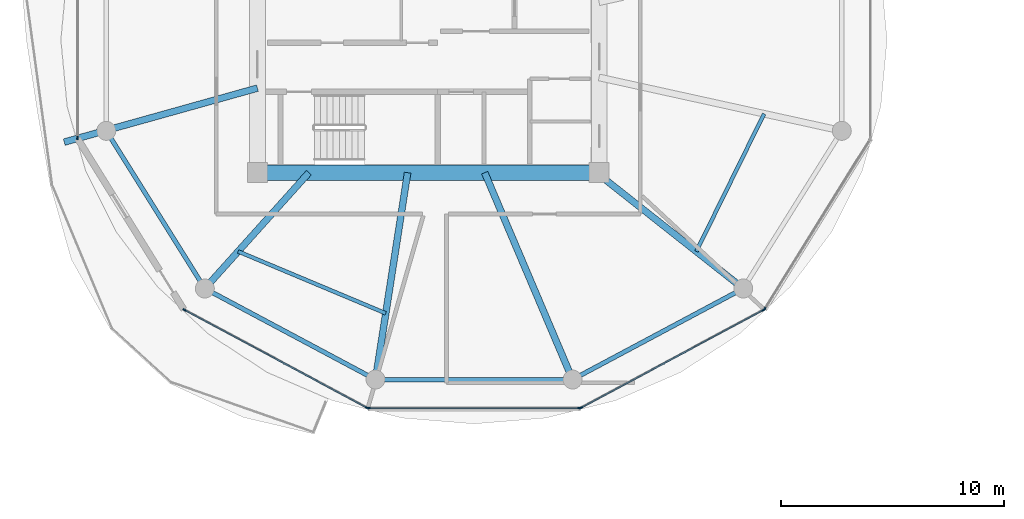
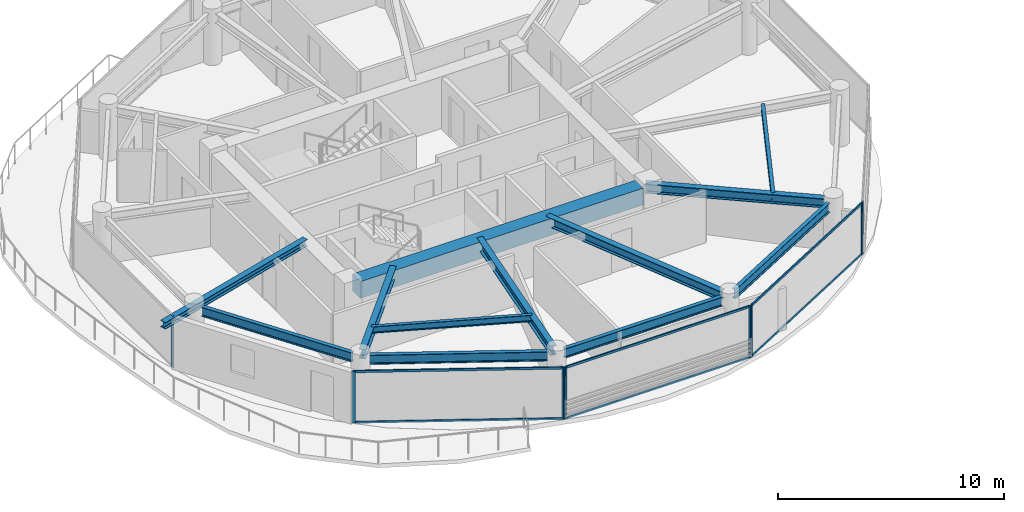
# One storey, part 2 of 23: 14 members, 12 beams, 5 elements without a shape of their own.
"""IFC4 building model written with IfcOpenShell, lengths in metres."""

from ifc_helpers import new_model, si_unit, direction, frame, origin, origin_2d, place, context, subcontext, project, spatial, rectangle, i_section, extrude, source, transform, mapped, material, layer, layer_set, material_profile, profile_set, type_object, type_shapes, element, aggregate, save


model = new_model("IFC4")

# Units and contexts
model_context = context("Model", 3, precision=1e-05, world=origin(), true_north=direction((0.0, 1.0)))
body_context = subcontext(model_context, "Body", "Model", "MODEL_VIEW")
ifc_project = project(units=[si_unit("LENGTHUNIT", "METRE"), si_unit("AREAUNIT", "SQUARE_METRE"), si_unit("VOLUMEUNIT", "CUBIC_METRE"), si_unit("PLANEANGLEUNIT", "RADIAN"), si_unit("MASSUNIT", "GRAM", prefix="KILO")], contexts=[model_context])

# Site, building, storey
site_placement = place(None, origin())
site = spatial("IfcSite", under=ifc_project, at=site_placement, CompositionType="ELEMENT")
building_placement = place(site_placement, origin())
building = spatial("IfcBuilding", under=site, at=building_placement, Name="Norrkilde Senior Care Towers", CompositionType="ELEMENT")
storey_placement = place(building_placement, frame((0.0, 0.0, 93.199951171875)))
storey = spatial("IfcBuildingStorey", under=building, at=storey_placement, Name="L28", CompositionType="ELEMENT", Elevation=93.199951171875)

# Beams
ifc_material_1 = material(Name="Concrete C60/75", Category="concrete")
ifc_material_profile_1 = material_profile(ifc_material_1, rectangle(XDim=0.699951171875, YDim=0.89990234375, at=origin_2d()), Name="RC BM 700x900")
ifc_profile_set_1 = profile_set([ifc_material_profile_1], Name="Concrete C60/75")
beam_type_1 = type_object("IfcBeamType", Name="Core Coupling Girder 700x900", PredefinedType="USERDEFINED", material=ifc_profile_set_1)
shared_shape_1 = source(origin(), body_context, "Body", "SweptSolid", [
    extrude(rectangle(XDim=0.699951171875, YDim=0.89990234375, at=origin_2d()), origin(), (0.0, 0.0, 1.0), 14.43994140625),
])
type_shapes(beam_type_1, [shared_shape_1])
beam_1_placement = place(storey_placement, frame((-35.219970703125, -5.949951171875, 2.340087890625), z_axis=(1.0, 0.0, 0.0), x_axis=(0.0, 1.0, 0.0)))
element("IfcBeam", 1, at=beam_1_placement, inside=storey, type_object=beam_type_1, Name="L28 Core W S Coupling Girder", ObjectType="GIRDER", PredefinedType="USERDEFINED", context=body_context, shape_type="MappedRepresentation", body=[
    mapped(shared_shape_1, transform((0.0, 0.0, 0.0), x_axis=(1.0, 0.0, 0.0), y_axis=(0.0, 1.0, 0.0), z_axis=(0.0, 0.0, 1.0), scale=1.0)),
])
ifc_material_2 = material(Name="Steel S355", Category="steel")
ifc_material_profile_2 = material_profile(ifc_material_2, i_section(OverallWidth=0.199951171875, OverallDepth=0.5, WebThickness=0.01025390625, FlangeThickness=0.01611328125, FilletRadius=0.02099609375, at=origin_2d()), Name="IPE 500")
ifc_profile_set_2 = profile_set([ifc_material_profile_2], Name="Steel S355")
beam_type_2 = type_object("IfcBeamType", Name="Perimeter Ring Spandrel Z2 IPE500", PredefinedType="SPANDREL", material=ifc_profile_set_2)
shared_shape_2 = source(origin(), body_context, "Body", "SweptSolid", [
    extrude(i_section(OverallWidth=0.199951171875, OverallDepth=0.5, WebThickness=0.01025390625, FlangeThickness=0.01611328125, FilletRadius=0.02099609375, at=origin_2d()), origin(), (0.0, 0.0, 1.0), 7.892333984375),
])
for number, where, z_axis, x_axis, name in (
    (2, (-37.66650390625, -11.318115234375, 2.5400390625), (0.882350372282, -0.47059305194, 0.0), (0.47059305194, 0.882350372282, 0.0), "L28 Drum W Perimeter Spandrel 08"),
    (3, (-21.197509765625, -15.0322265625, 2.5400390625), (0.882350372282, 0.47059305194, 0.0), (-0.47059305194, 0.882350372282, 0.0), "L28 Drum W Perimeter Spandrel 10"),
):
    element("IfcBeam", number, at=place(storey_placement, frame(where, z_axis=z_axis, x_axis=x_axis)), inside=storey, type_object=beam_type_2, Name=name, PredefinedType="SPANDREL", context=body_context, shape_type="MappedRepresentation", body=[
        mapped(shared_shape_2, transform((0.0, 0.0, 0.0), x_axis=(1.0, 0.0, 0.0), y_axis=(0.0, 1.0, 0.0), z_axis=(0.0, 0.0, 1.0), scale=1.0)),
    ])
ifc_material_profile_3 = material_profile(ifc_material_2, i_section(OverallWidth=0.300048828125, OverallDepth=0.5, WebThickness=0.014404296875, FlangeThickness=0.028076171875, FilletRadius=0.027099609375, at=origin_2d()), Name="HEB 500")
ifc_profile_set_3 = profile_set([ifc_material_profile_3], Name="Steel S355")
beam_type_3 = type_object("IfcBeamType", Name="Radial Floor Beam Z2 HEB500", PredefinedType="BEAM", material=ifc_profile_set_3)
shared_shape_3 = source(origin(), body_context, "Body", "SweptSolid", [
    extrude(i_section(OverallWidth=0.300048828125, OverallDepth=0.5, WebThickness=0.014404296875, FlangeThickness=0.028076171875, FilletRadius=0.027099609375, at=origin_2d()), origin(), (0.0, 0.0, 1.0), 7.985595703125),
])
beam_2_placement = place(storey_placement, frame((-20.463623046875, -5.949951171875, 2.5400390625), z_axis=(0.784858505144, -0.619675017169, 0.0), x_axis=(0.619675017169, 0.784858505144, 0.0)))
element("IfcBeam", 4, at=beam_2_placement, inside=storey, type_object=beam_type_3, Name="L28 Drum W Radial Floor Beam 11", PredefinedType="BEAM", context=body_context, shape_type="MappedRepresentation", body=[
    mapped(shared_shape_3, transform((0.0, 0.0, 0.0), x_axis=(1.0, 0.0, 0.0), y_axis=(0.0, 1.0, 0.0), z_axis=(0.0, 0.0, 1.0), scale=1.0)),
])
shared_shape_4 = source(origin(), body_context, "Body", "SweptSolid", [
    extrude(i_section(OverallWidth=0.199951171875, OverallDepth=0.5, WebThickness=0.01025390625, FlangeThickness=0.01611328125, FilletRadius=0.02099609375, at=origin_2d()), origin(), (0.0, 0.0, 1.0), 8.0556640625),
])
beam_3_placement = place(storey_placement, frame((-29.977783203125, -15.21337890625, 2.5400390625), z_axis=(1.0, 0.0, 0.0), x_axis=(0.0, 1.0, 0.0)))
element("IfcBeam", 5, at=beam_3_placement, inside=storey, type_object=beam_type_2, Name="L28 Drum W Perimeter Spandrel 09", PredefinedType="SPANDREL", context=body_context, shape_type="MappedRepresentation", body=[
    mapped(shared_shape_4, transform((0.0, 0.0, 0.0), x_axis=(1.0, 0.0, 0.0), y_axis=(0.0, 1.0, 0.0), z_axis=(0.0, 0.0, 1.0), scale=1.0)),
])
shared_shape_5 = source(origin(), body_context, "Body", "SweptSolid", [
    extrude(i_section(OverallWidth=0.300048828125, OverallDepth=0.5, WebThickness=0.014404296875, FlangeThickness=0.028076171875, FilletRadius=0.027099609375, at=origin_2d()), origin(), (0.0, 0.0, 1.0), 9.679443359375),
])
beam_4_placement = place(storey_placement, frame((-25.472412109375, -5.949951171875, 2.5400390625), z_axis=(0.390998033479, -0.920391513333, 0.0), x_axis=(0.920391513333, 0.390998033479, 0.0)))
element("IfcBeam", 6, at=beam_4_placement, inside=storey, type_object=beam_type_3, Name="L28 Drum W Radial Floor Beam 10", PredefinedType="BEAM", context=body_context, shape_type="MappedRepresentation", body=[
    mapped(shared_shape_5, transform((0.0, 0.0, 0.0), x_axis=(1.0, 0.0, 0.0), y_axis=(0.0, 1.0, 0.0), z_axis=(0.0, 0.0, 1.0), scale=1.0)),
])
shared_shape_6 = source(origin(), body_context, "Body", "SweptSolid", [
    extrude(i_section(OverallWidth=0.300048828125, OverallDepth=0.5, WebThickness=0.014404296875, FlangeThickness=0.028076171875, FilletRadius=0.027099609375, at=origin_2d()), origin(), (0.0, 0.0, 1.0), 8.989501953125),
])
beam_5_placement = place(storey_placement, frame((-28.924072265625, -5.949951171875, 2.5400390625), z_axis=(-0.153471298636, -0.988153105796, 0.0), x_axis=(0.988153105796, -0.153471298636, 0.0)))
element("IfcBeam", 7, at=beam_5_placement, inside=storey, type_object=beam_type_3, Name="L28 Drum W Radial Floor Beam 09", PredefinedType="BEAM", context=body_context, shape_type="MappedRepresentation", body=[
    mapped(shared_shape_6, transform((0.0, 0.0, 0.0), x_axis=(1.0, 0.0, 0.0), y_axis=(0.0, 1.0, 0.0), z_axis=(0.0, 0.0, 1.0), scale=1.0)),
])
shared_shape_7 = source(origin(), body_context, "Body", "SweptSolid", [
    extrude(i_section(OverallWidth=0.199951171875, OverallDepth=0.5, WebThickness=0.01025390625, FlangeThickness=0.01611328125, FilletRadius=0.02099609375, at=origin_2d()), origin(), (0.0, 0.0, 1.0), 7.556396484375),
])
type_shapes(beam_type_2, [shared_shape_2, shared_shape_4, shared_shape_7])
beam_6_placement = place(storey_placement, frame((-42.215087890625, -4.40283203125, 2.5400390625), z_axis=(0.530004748437, -0.847994673706, 0.0), x_axis=(0.847994673706, 0.530004748437, 0.0)))
element("IfcBeam", 8, at=beam_6_placement, inside=storey, type_object=beam_type_2, Name="L28 Drum W Perimeter Spandrel 07", PredefinedType="SPANDREL", context=body_context, shape_type="MappedRepresentation", body=[
    mapped(shared_shape_7, transform((0.0, 0.0, 0.0), x_axis=(1.0, 0.0, 0.0), y_axis=(0.0, 1.0, 0.0), z_axis=(0.0, 0.0, 1.0), scale=1.0)),
])
shared_shape_8 = source(origin(), body_context, "Body", "SweptSolid", [
    extrude(i_section(OverallWidth=0.300048828125, OverallDepth=0.5, WebThickness=0.014404296875, FlangeThickness=0.028076171875, FilletRadius=0.027099609375, at=origin_2d()), origin(), (0.0, 0.0, 1.0), 6.587890625),
])
type_shapes(beam_type_3, [shared_shape_3, shared_shape_5, shared_shape_6, shared_shape_8])
beam_7_placement = place(storey_placement, frame((-33.345947265625, -5.949951171875, 2.5400390625), z_axis=(-0.668315438605, -0.743877997068, 0.0), x_axis=(0.743877997068, -0.668315438605, 0.0)))
element("IfcBeam", 9, at=beam_7_placement, inside=storey, type_object=beam_type_3, Name="L28 Drum W Radial Floor Beam 08", PredefinedType="BEAM", context=body_context, shape_type="MappedRepresentation", body=[
    mapped(shared_shape_8, transform((0.0, 0.0, 0.0), x_axis=(1.0, 0.0, 0.0), y_axis=(0.0, 1.0, 0.0), z_axis=(0.0, 0.0, 1.0), scale=1.0)),
])
ifc_material_profile_4 = material_profile(ifc_material_2, i_section(OverallWidth=0.169921875, OverallDepth=0.360107421875, WebThickness=0.008056640625, FlangeThickness=0.0126953125, FilletRadius=0.01806640625, at=origin_2d()), Name="IPE 360")
ifc_profile_set_4 = profile_set([ifc_material_profile_4], Name="Steel S355")
beam_type_4 = type_object("IfcBeamType", Name="Secondary Floor Joist IPE360", PredefinedType="JOIST", material=ifc_profile_set_4)
shared_shape_9 = source(origin(), body_context, "Body", "SweptSolid", [
    extrude(i_section(OverallWidth=0.169921875, OverallDepth=0.360107421875, WebThickness=0.008056640625, FlangeThickness=0.0126953125, FilletRadius=0.01806640625, at=origin_2d()), origin(), (0.0, 0.0, 1.0), 7.169921875),
])
beam_8_placement = place(storey_placement, frame((-36.514892578125, -9.47705078125, 2.610107421875), z_axis=(0.922240600393, -0.386616444279, 0.0), x_axis=(0.386616444279, 0.922240600393, 0.0)))
element("IfcBeam", 10, at=beam_8_placement, inside=storey, type_object=beam_type_4, Name="L28 Drum W Secondary Floor Joist 3", PredefinedType="JOIST", context=body_context, shape_type="MappedRepresentation", body=[
    mapped(shared_shape_9, transform((0.0, 0.0, 0.0), x_axis=(1.0, 0.0, 0.0), y_axis=(0.0, 1.0, 0.0), z_axis=(0.0, 0.0, 1.0), scale=1.0)),
])
shared_shape_10 = source(origin(), body_context, "Body", "SweptSolid", [
    extrude(i_section(OverallWidth=0.169921875, OverallDepth=0.360107421875, WebThickness=0.008056640625, FlangeThickness=0.0126953125, FilletRadius=0.01806640625, at=origin_2d()), origin(), (0.0, 0.0, 1.0), 6.87353515625),
])
type_shapes(beam_type_4, [shared_shape_9, shared_shape_10])
beam_9_placement = place(storey_placement, frame((-15.99609375, -9.47705078125, 2.610107421875), z_axis=(0.44184939592, 0.897089243791, 0.0), x_axis=(-0.897089243791, 0.44184939592, 0.0)))
element("IfcBeam", 11, at=beam_9_placement, inside=storey, type_object=beam_type_4, Name="L28 Drum W Secondary Floor Joist 4", PredefinedType="JOIST", context=body_context, shape_type="MappedRepresentation", body=[
    mapped(shared_shape_10, transform((0.0, 0.0, 0.0), x_axis=(1.0, 0.0, 0.0), y_axis=(0.0, 1.0, 0.0), z_axis=(0.0, 0.0, 1.0), scale=1.0)),
])
ifc_material_profile_5 = material_profile(ifc_material_2, i_section(OverallWidth=0.300048828125, OverallDepth=0.360107421875, WebThickness=0.012451171875, FlangeThickness=0.0224609375, FilletRadius=0.027099609375, at=origin_2d()), Name="HEB 360")
ifc_profile_set_5 = profile_set([ifc_material_profile_5], Name="Steel S355")
beam_type_5 = type_object("IfcBeamType", Name="Balcony Crest Cantilever Rib HEB360", PredefinedType="BEAM", material=ifc_profile_set_5)
shared_shape_11 = source(origin(), body_context, "Body", "SweptSolid", [
    extrude(i_section(OverallWidth=0.300048828125, OverallDepth=0.360107421875, WebThickness=0.012451171875, FlangeThickness=0.0224609375, FilletRadius=0.027099609375, at=origin_2d()), origin(), (0.0, 0.0, 1.0), 8.984130859375),
])
type_shapes(beam_type_5, [shared_shape_11])
beam_10_placement = place(storey_placement, frame((-35.64990234375, -2.162841796875, 2.610107421875), z_axis=(-0.963094296719, -0.269164216839, 0.0), x_axis=(0.269164216839, -0.963094296719, 0.0)))
element("IfcBeam", 12, at=beam_10_placement, inside=storey, type_object=beam_type_5, Name="L28 Drum W Balcony Cantilever Rib", PredefinedType="BEAM", context=body_context, shape_type="MappedRepresentation", body=[
    mapped(shared_shape_11, transform((0.0, 0.0, 0.0), x_axis=(1.0, 0.0, 0.0), y_axis=(0.0, 1.0, 0.0), z_axis=(0.0, 0.0, 1.0), scale=1.0)),
])

# Curtain wall, member
ifc_material_3 = material(Name="Triple Low-E Insulated Glazing", Category="glass")
ifc_layer = layer(ifc_material_3, 0.195068359375)
ifc_layer_set = layer_set([ifc_layer], Name="Triple Low-E Insulated Glazing")
curtain_wall_type = type_object("IfcCurtainWallType", Name="CW3 Zone 2 Assisted Living Curtain Wall", PredefinedType="NOTDEFINED", material=ifc_layer_set)
curtain_wall_1_placement = place(storey_placement, origin())
curtain_wall_1 = element("IfcCurtainWall", 13, at=curtain_wall_1_placement, inside=storey, type_object=curtain_wall_type, Name="L28 Drum W Curtain Wall 05", PredefinedType="NOTDEFINED")
ifc_material_4 = material(Name="Anodised Aluminium", Category="aluminium")
ifc_material_profile_6 = material_profile(ifc_material_4, rectangle(XDim=0.06494140625, YDim=0.159912109375, at=origin_2d()), Name="ALU MULL 65x160")
ifc_profile_set_6 = profile_set([ifc_material_profile_6], Name="Anodised Aluminium")
member_type_1 = type_object("IfcMemberType", Name="Curtain Wall Mullion Z1-Z2 65x160", PredefinedType="MULLION", material=ifc_profile_set_6)
shared_shape_12 = source(origin(), body_context, "Body", "SweptSolid", [
    extrude(rectangle(XDim=0.06494140625, YDim=0.159912109375, at=origin_2d()), origin(), (0.0, 0.0, 1.0), 2.7900390625),
])
type_shapes(member_type_1, [shared_shape_12])
member_1_placement = place(storey_placement, frame((-43.70361328125, -4.38818359375, 0.0), z_axis=(0.0, 0.0, 1.0), x_axis=(-1.0, 0.0, 0.0)))
member_1 = element("IfcMember", 14, at=member_1_placement, type_object=member_type_1, Name="CW-3 mullion 1", PredefinedType="MULLION", context=body_context, shape_type="MappedRepresentation", body=[
    mapped(shared_shape_12, transform((0.0, 0.0, 0.0), x_axis=(1.0, 0.0, 0.0), y_axis=(0.0, 1.0, 0.0), z_axis=(0.0, 0.0, 1.0), scale=1.0)),
])
aggregate(curtain_wall_1, [member_1])

# Curtain wall, members
curtain_wall_2_placement = place(storey_placement, origin())
curtain_wall_2 = element("IfcCurtainWall", 15, at=curtain_wall_2_placement, inside=storey, type_object=curtain_wall_type, Name="L28 Drum W Curtain Wall 07", PredefinedType="NOTDEFINED")
member_2_placement = place(storey_placement, frame((-30.73583984375, -16.482666015625, 0.0), z_axis=(0.0, 0.0, 1.0), x_axis=(-0.472769402511, -0.881186184668, 0.0)))
member_2 = element("IfcMember", 16, at=member_2_placement, type_object=member_type_1, Name="CW-3 mullion 1", PredefinedType="MULLION", context=body_context, shape_type="MappedRepresentation", body=[
    mapped(shared_shape_12, transform((0.0, 0.0, 0.0), x_axis=(1.0, 0.0, 0.0), y_axis=(0.0, 1.0, 0.0), z_axis=(0.0, 0.0, 1.0), scale=1.0)),
])
member_3_placement = place(storey_placement, frame((-38.91796875, -12.0927734375, 0.0), z_axis=(0.0, 0.0, 1.0), x_axis=(-0.472769402511, -0.881186184668, 0.0)))
member_3 = element("IfcMember", 17, at=member_3_placement, type_object=member_type_1, Name="CW-3 mullion 2", PredefinedType="MULLION", context=body_context, shape_type="MappedRepresentation", body=[
    mapped(shared_shape_12, transform((0.0, 0.0, 0.0), x_axis=(1.0, 0.0, 0.0), y_axis=(0.0, 1.0, 0.0), z_axis=(0.0, 0.0, 1.0), scale=1.0)),
])

curtain_wall_3_placement = place(storey_placement, origin())
curtain_wall_3 = element("IfcCurtainWall", 18, at=curtain_wall_3_placement, inside=storey, type_object=curtain_wall_type, Name="L28 Drum W Curtain Wall 08", PredefinedType="NOTDEFINED")
member_4_placement = place(storey_placement, frame((-21.225341796875, -16.498046875, 0.0), z_axis=(0.0, 0.0, 1.0), x_axis=(0.0, -1.0, 0.0)))
member_4 = element("IfcMember", 19, at=member_4_placement, type_object=member_type_1, Name="CW-3 mullion 1", PredefinedType="MULLION", context=body_context, shape_type="MappedRepresentation", body=[
    mapped(shared_shape_12, transform((0.0, 0.0, 0.0), x_axis=(1.0, 0.0, 0.0), y_axis=(0.0, 1.0, 0.0), z_axis=(0.0, 0.0, 1.0), scale=1.0)),
])
member_5_placement = place(storey_placement, frame((-30.674560546875, -16.498046875, 0.0), z_axis=(0.0, 0.0, 1.0), x_axis=(0.0, -1.0, 0.0)))
member_5 = element("IfcMember", 20, at=member_5_placement, type_object=member_type_1, Name="CW-3 mullion 2", PredefinedType="MULLION", context=body_context, shape_type="MappedRepresentation", body=[
    mapped(shared_shape_12, transform((0.0, 0.0, 0.0), x_axis=(1.0, 0.0, 0.0), y_axis=(0.0, 1.0, 0.0), z_axis=(0.0, 0.0, 1.0), scale=1.0)),
])

curtain_wall_4_placement = place(storey_placement, origin())
curtain_wall_4 = element("IfcCurtainWall", 21, at=curtain_wall_4_placement, inside=storey, type_object=curtain_wall_type, Name="L28 Drum W Curtain Wall 09", PredefinedType="NOTDEFINED")
member_6_placement = place(storey_placement, frame((-12.98193359375, -12.0927734375, 0.0), z_axis=(0.0, 0.0, 1.0), x_axis=(0.472769402511, -0.881186184668, 0.0)))
member_6 = element("IfcMember", 22, at=member_6_placement, type_object=member_type_1, Name="CW-3 mullion 1", PredefinedType="MULLION", context=body_context, shape_type="MappedRepresentation", body=[
    mapped(shared_shape_12, transform((0.0, 0.0, 0.0), x_axis=(1.0, 0.0, 0.0), y_axis=(0.0, 1.0, 0.0), z_axis=(0.0, 0.0, 1.0), scale=1.0)),
])
member_7_placement = place(storey_placement, frame((-21.164306640625, -16.482666015625, 0.0), z_axis=(0.0, 0.0, 1.0), x_axis=(0.472769402511, -0.881186184668, 0.0)))
member_7 = element("IfcMember", 23, at=member_7_placement, type_object=member_type_1, Name="CW-3 mullion 2", PredefinedType="MULLION", context=body_context, shape_type="MappedRepresentation", body=[
    mapped(shared_shape_12, transform((0.0, 0.0, 0.0), x_axis=(1.0, 0.0, 0.0), y_axis=(0.0, 1.0, 0.0), z_axis=(0.0, 0.0, 1.0), scale=1.0)),
])

# Curtain wall, member
curtain_wall_5_placement = place(storey_placement, origin())
curtain_wall_5 = element("IfcCurtainWall", 24, at=curtain_wall_5_placement, inside=storey, type_object=curtain_wall_type, Name="L28 Drum W Curtain Wall 10", PredefinedType="NOTDEFINED")
member_8_placement = place(storey_placement, frame((-12.936279296875, -12.0498046875, 0.0), z_axis=(0.0, 0.0, 1.0), x_axis=(0.849410171862, -0.527733228002, 0.0)))
member_8 = element("IfcMember", 25, at=member_8_placement, type_object=member_type_1, Name="CW-3 mullion 2", PredefinedType="MULLION", context=body_context, shape_type="MappedRepresentation", body=[
    mapped(shared_shape_12, transform((0.0, 0.0, 0.0), x_axis=(1.0, 0.0, 0.0), y_axis=(0.0, 1.0, 0.0), z_axis=(0.0, 0.0, 1.0), scale=1.0)),
])
aggregate(curtain_wall_5, [member_8])

# Member
ifc_material_profile_7 = material_profile(ifc_material_4, rectangle(XDim=0.06005859375, YDim=0.1201171875, at=origin_2d()), Name="ALU TRAN 60x120")
ifc_profile_set_7 = profile_set([ifc_material_profile_7], Name="Anodised Aluminium")
member_type_2 = type_object("IfcMemberType", Name="Curtain Wall Transom Typical 60x120", PredefinedType="USERDEFINED", material=ifc_profile_set_7)
shared_shape_13 = source(origin(), body_context, "Body", "SweptSolid", [
    extrude(rectangle(XDim=0.06005859375, YDim=0.1201171875, at=origin_2d()), origin(), (0.0, 0.0, 1.0), 9.220458984375),
])
member_9_placement = place(storey_placement, frame((-30.764404296875, -16.46728515625, 0.030029296875), z_axis=(-0.881188517866, 0.472765053681, 0.0), x_axis=(-0.472765053681, -0.881188517866, 0.0)))
member_9 = element("IfcMember", 26, at=member_9_placement, type_object=member_type_2, Name="CW-3 transom 1.1", ObjectType="TRANSOM", PredefinedType="USERDEFINED", context=body_context, shape_type="MappedRepresentation", body=[
    mapped(shared_shape_13, transform((0.0, 0.0, 0.0), x_axis=(1.0, 0.0, 0.0), y_axis=(0.0, 1.0, 0.0), z_axis=(0.0, 0.0, 1.0), scale=1.0)),
])

member_10_placement = place(storey_placement, frame((-30.764404296875, -16.46728515625, 2.760009765625), z_axis=(-0.881188517866, 0.472765053681, 0.0), x_axis=(-0.472765053681, -0.881188517866, 0.0)))
member_10 = element("IfcMember", 27, at=member_10_placement, type_object=member_type_2, Name="CW-3 transom 1.2", ObjectType="TRANSOM", PredefinedType="USERDEFINED", context=body_context, shape_type="MappedRepresentation", body=[
    mapped(shared_shape_13, transform((0.0, 0.0, 0.0), x_axis=(1.0, 0.0, 0.0), y_axis=(0.0, 1.0, 0.0), z_axis=(0.0, 0.0, 1.0), scale=1.0)),
])

aggregate(curtain_wall_2, [member_2, member_3, member_9, member_10])

member_11_placement = place(storey_placement, frame((-13.0107421875, -12.108154296875, 0.030029296875), z_axis=(-0.881188517866, -0.472765053681, 0.0), x_axis=(0.472765053681, -0.881188517866, 0.0)))
member_11 = element("IfcMember", 28, at=member_11_placement, type_object=member_type_2, Name="CW-3 transom 1.1", ObjectType="TRANSOM", PredefinedType="USERDEFINED", context=body_context, shape_type="MappedRepresentation", body=[
    mapped(shared_shape_13, transform((0.0, 0.0, 0.0), x_axis=(1.0, 0.0, 0.0), y_axis=(0.0, 1.0, 0.0), z_axis=(0.0, 0.0, 1.0), scale=1.0)),
])

member_12_placement = place(storey_placement, frame((-13.0107421875, -12.108154296875, 2.760009765625), z_axis=(-0.881188517866, -0.472765053681, 0.0), x_axis=(0.472765053681, -0.881188517866, 0.0)))
member_12 = element("IfcMember", 29, at=member_12_placement, type_object=member_type_2, Name="CW-3 transom 1.2", ObjectType="TRANSOM", PredefinedType="USERDEFINED", context=body_context, shape_type="MappedRepresentation", body=[
    mapped(shared_shape_13, transform((0.0, 0.0, 0.0), x_axis=(1.0, 0.0, 0.0), y_axis=(0.0, 1.0, 0.0), z_axis=(0.0, 0.0, 1.0), scale=1.0)),
])

aggregate(curtain_wall_4, [member_6, member_7, member_11, member_12])

shared_shape_14 = source(origin(), body_context, "Body", "SweptSolid", [
    extrude(rectangle(XDim=0.06005859375, YDim=0.1201171875, at=origin_2d()), origin(), (0.0, 0.0, 1.0), 9.38427734375),
])
type_shapes(member_type_2, [shared_shape_13, shared_shape_14])
member_13_placement = place(storey_placement, frame((-21.2578125, -16.498046875, 0.030029296875), z_axis=(-1.0, 0.0, 0.0), x_axis=(0.0, -1.0, 0.0)))
member_13 = element("IfcMember", 30, at=member_13_placement, type_object=member_type_2, Name="CW-3 transom 1.1", ObjectType="TRANSOM", PredefinedType="USERDEFINED", context=body_context, shape_type="MappedRepresentation", body=[
    mapped(shared_shape_14, transform((0.0, 0.0, 0.0), x_axis=(1.0, 0.0, 0.0), y_axis=(0.0, 1.0, 0.0), z_axis=(0.0, 0.0, 1.0), scale=1.0)),
])

member_14_placement = place(storey_placement, frame((-21.2578125, -16.498046875, 2.760009765625), z_axis=(-1.0, 0.0, 0.0), x_axis=(0.0, -1.0, 0.0)))
member_14 = element("IfcMember", 31, at=member_14_placement, type_object=member_type_2, Name="CW-3 transom 1.2", ObjectType="TRANSOM", PredefinedType="USERDEFINED", context=body_context, shape_type="MappedRepresentation", body=[
    mapped(shared_shape_14, transform((0.0, 0.0, 0.0), x_axis=(1.0, 0.0, 0.0), y_axis=(0.0, 1.0, 0.0), z_axis=(0.0, 0.0, 1.0), scale=1.0)),
])

aggregate(curtain_wall_3, [member_4, member_5, member_13, member_14])

save(model, "model.ifc")
